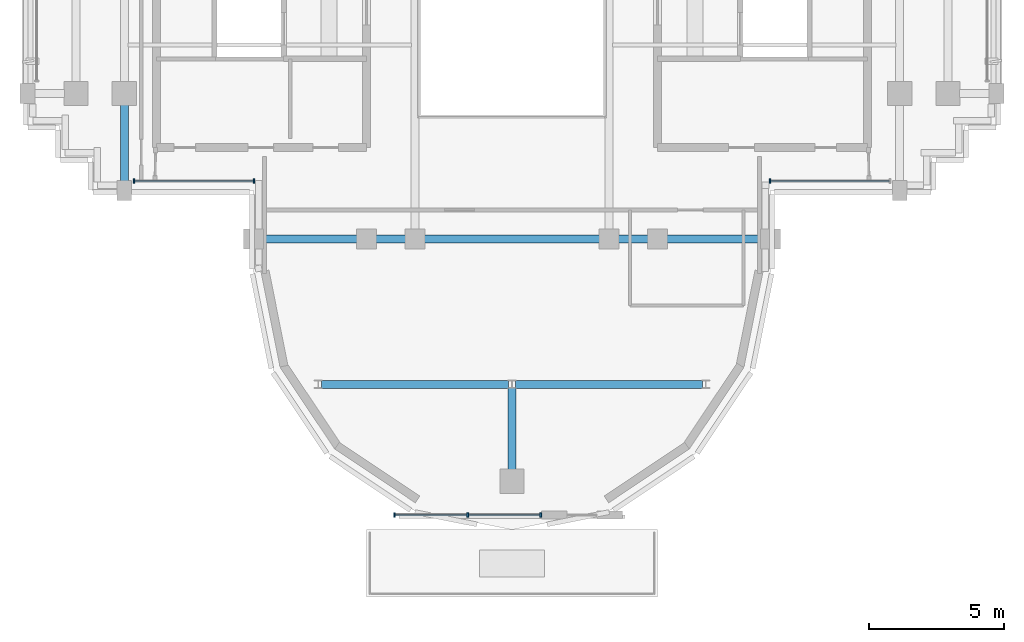
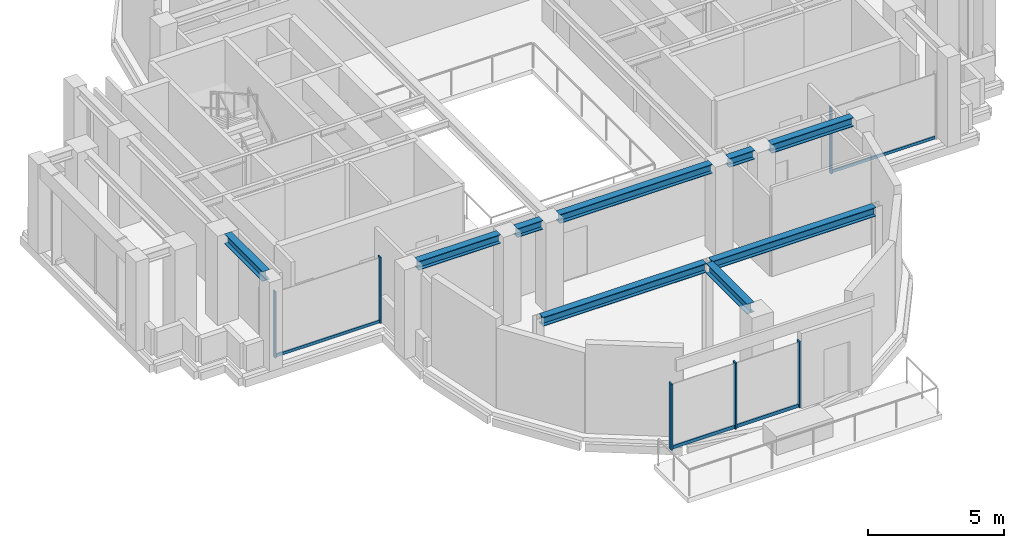
# One storey, part 3 of 14: 10 members, 9 beams, 3 elements without a shape of their own.
"""IFC4 building model written with IfcOpenShell, lengths in metres."""

from ifc_helpers import new_model, si_unit, direction, frame, origin, origin_2d, place, context, subcontext, project, spatial, rectangle, i_section, extrude, source, transform, mapped, material, material_profile, profile_set, type_object, element, aggregate, save


model = new_model("IFC4")

# Units and contexts
model_context = context("Model", 3, precision=1e-05, world=origin(), true_north=direction((0.0, 1.0)))
body_context = subcontext(model_context, "Body", "Model", "MODEL_VIEW")
ifc_project = project(units=[si_unit("LENGTHUNIT", "METRE"), si_unit("AREAUNIT", "SQUARE_METRE"), si_unit("VOLUMEUNIT", "CUBIC_METRE"), si_unit("PLANEANGLEUNIT", "RADIAN"), si_unit("MASSUNIT", "GRAM", prefix="KILO")], contexts=[model_context])

# Site, building, storey
site_placement = place(None, origin())
site = spatial("IfcSite", under=ifc_project, at=site_placement, CompositionType="ELEMENT")
building_placement = place(site_placement, origin())
building = spatial("IfcBuilding", under=site, at=building_placement, Name="Keilestroom Media Tower", CompositionType="ELEMENT")
storey_placement = place(building_placement, frame((0.0, 0.0, 219.39990234375)))
storey = spatial("IfcBuildingStorey", under=building, at=storey_placement, Name="L60", CompositionType="ELEMENT", Elevation=219.39990234375)

# Beams
ifc_material_1 = material(Name="Steel S355", Category="steel")
ifc_material_profile_1 = material_profile(ifc_material_1, i_section(OverallWidth=0.300048828125, OverallDepth=0.39990234375, WebThickness=0.011474609375, FlangeThickness=0.02392578125, at=origin_2d()), Name="HEB 400")
ifc_profile_set_1 = profile_set([ifc_material_profile_1], Name="Steel S355")
beam_type_1 = type_object("IfcBeamType", Name="Primary-Structural-Girder-HEB-400", PredefinedType="BEAM", material=ifc_profile_set_1)
shared_shape_1 = source(origin(), body_context, "Body", "SweptSolid", [
    extrude(i_section(OverallWidth=0.300048828125, OverallDepth=0.39990234375, WebThickness=0.011474609375, FlangeThickness=0.02392578125, at=origin_2d()), origin(), (0.0, 0.0, 1.0), 6.940185546875),
])
for number, where, z_axis, x_axis, name in (
    (1, (-7.070068359375, -14.39990234375, 3.81005859375), (1.0, 0.0, 0.0), (0.0, 1.0, 0.0), "L60 Beam BG-8 BM-L60-EW-001"),
    (2, (0.1298828125, -14.39990234375, 3.81005859375), (1.0, 0.0, 0.0), (0.0, 1.0, 0.0), "L60 Beam BG-8 BM-L60-EW-002"),
):
    element("IfcBeam", number, at=place(storey_placement, frame(where, z_axis=z_axis, x_axis=x_axis)), inside=storey, type_object=beam_type_1, Name=name, PredefinedType="BEAM", context=body_context, shape_type="MappedRepresentation", body=[
        mapped(shared_shape_1, transform((0.0, 0.0, 0.0), x_axis=(1.0, 0.0, 0.0), y_axis=(0.0, 1.0, 0.0), z_axis=(0.0, 0.0, 1.0), scale=1.0)),
    ])
shared_shape_2 = source(origin(), body_context, "Body", "SweptSolid", [
    extrude(i_section(OverallWidth=0.300048828125, OverallDepth=0.39990234375, WebThickness=0.011474609375, FlangeThickness=0.02392578125, at=origin_2d()), origin(), (0.0, 0.0, 1.0), 3.490234375),
])
for number, where, z_axis, x_axis, name in (
    (3, (-9.2451171875, -9.0, 3.81005859375), (1.0, 0.0, 0.0), (0.0, 1.0, 0.0), "L60 Beam BG-8 BM-L60-EW-003"),
    (4, (5.7548828125, -9.0, 3.81005859375), (1.0, 0.0, 0.0), (0.0, 1.0, 0.0), "L60 Beam BG-8 BM-L60-EW-007"),
):
    element("IfcBeam", number, at=place(storey_placement, frame(where, z_axis=z_axis, x_axis=x_axis)), inside=storey, type_object=beam_type_1, Name=name, PredefinedType="BEAM", context=body_context, shape_type="MappedRepresentation", body=[
        mapped(shared_shape_2, transform((0.0, 0.0, 0.0), x_axis=(1.0, 0.0, 0.0), y_axis=(0.0, 1.0, 0.0), z_axis=(0.0, 0.0, 1.0), scale=1.0)),
    ])
shared_shape_3 = source(origin(), body_context, "Body", "SweptSolid", [
    extrude(i_section(OverallWidth=0.300048828125, OverallDepth=0.39990234375, WebThickness=0.011474609375, FlangeThickness=0.02392578125, at=origin_2d()), origin(), (0.0, 0.0, 1.0), 1.08984375),
])
for number, where, z_axis, x_axis, name in (
    (5, (-5.044921875, -9.0, 3.81005859375), (1.0, 0.0, 0.0), (0.0, 1.0, 0.0), "L60 Beam BG-8 BM-L60-EW-004"),
    (6, (3.955078125, -9.0, 3.81005859375), (1.0, 0.0, 0.0), (0.0, 1.0, 0.0), "L60 Beam BG-8 BM-L60-EW-006"),
):
    element("IfcBeam", number, at=place(storey_placement, frame(where, z_axis=z_axis, x_axis=x_axis)), inside=storey, type_object=beam_type_1, Name=name, PredefinedType="BEAM", context=body_context, shape_type="MappedRepresentation", body=[
        mapped(shared_shape_3, transform((0.0, 0.0, 0.0), x_axis=(1.0, 0.0, 0.0), y_axis=(0.0, 1.0, 0.0), z_axis=(0.0, 0.0, 1.0), scale=1.0)),
    ])
shared_shape_4 = source(origin(), body_context, "Body", "SweptSolid", [
    extrude(i_section(OverallWidth=0.300048828125, OverallDepth=0.39990234375, WebThickness=0.011474609375, FlangeThickness=0.02392578125, at=origin_2d()), origin(), (0.0, 0.0, 1.0), 6.490234375),
])
beam_1_placement = place(storey_placement, frame((-3.2451171875, -9.0, 3.81005859375), z_axis=(1.0, 0.0, 0.0), x_axis=(0.0, 1.0, 0.0)))
element("IfcBeam", 7, at=beam_1_placement, inside=storey, type_object=beam_type_1, Name="L60 Beam BG-8 BM-L60-EW-005", PredefinedType="BEAM", context=body_context, shape_type="MappedRepresentation", body=[
    mapped(shared_shape_4, transform((0.0, 0.0, 0.0), x_axis=(1.0, 0.0, 0.0), y_axis=(0.0, 1.0, 0.0), z_axis=(0.0, 0.0, 1.0), scale=1.0)),
])
ifc_material_profile_2 = material_profile(ifc_material_1, i_section(OverallWidth=0.300048828125, OverallDepth=0.43994140625, WebThickness=0.011474609375, FlangeThickness=0.02099609375, at=origin_2d()), Name="HEA 450")
ifc_profile_set_2 = profile_set([ifc_material_profile_2], Name="Steel S355")
beam_type_2 = type_object("IfcBeamType", Name="Primary-Structural-Girder-HEA-450", PredefinedType="BEAM", material=ifc_profile_set_2)
shared_shape_5 = source(origin(), body_context, "Body", "SweptSolid", [
    extrude(i_section(OverallWidth=0.300048828125, OverallDepth=0.43994140625, WebThickness=0.011474609375, FlangeThickness=0.02099609375, at=origin_2d()), origin(), (0.0, 0.0, 1.0), 2.81494140625),
])
beam_2_placement = place(storey_placement, frame((-14.39990234375, -6.844970703125, 3.7900390625), z_axis=(0.0, 1.0, 0.0), x_axis=(-1.0, 0.0, 0.0)))
element("IfcBeam", 8, at=beam_2_placement, inside=storey, type_object=beam_type_2, Name="L60 Beam BG-11 BM-L60-NS-027", PredefinedType="BEAM", context=body_context, shape_type="MappedRepresentation", body=[
    mapped(shared_shape_5, transform((0.0, 0.0, 0.0), x_axis=(1.0, 0.0, 0.0), y_axis=(0.0, 1.0, 0.0), z_axis=(0.0, 0.0, 1.0), scale=1.0)),
])
shared_shape_6 = source(origin(), body_context, "Body", "SweptSolid", [
    extrude(i_section(OverallWidth=0.300048828125, OverallDepth=0.43994140625, WebThickness=0.011474609375, FlangeThickness=0.02099609375, at=origin_2d()), origin(), (0.0, 0.0, 1.0), 3.0400390625),
])
beam_3_placement = place(storey_placement, frame((0.0, -17.570068359375, 3.7900390625), z_axis=(0.0, 1.0, 0.0), x_axis=(-1.0, 0.0, 0.0)))
element("IfcBeam", 9, at=beam_3_placement, inside=storey, type_object=beam_type_2, Name="L60 Beam BG-11 BM-L60-NS-034", PredefinedType="BEAM", context=body_context, shape_type="MappedRepresentation", body=[
    mapped(shared_shape_6, transform((0.0, 0.0, 0.0), x_axis=(1.0, 0.0, 0.0), y_axis=(0.0, 1.0, 0.0), z_axis=(0.0, 0.0, 1.0), scale=1.0)),
])

# Curtain wall, members
ifc_material_2 = material(Name="Anodised Aluminium Alloy", Category="aluminium")
curtain_wall_type_1 = type_object("IfcCurtainWallType", Name="Unitised-Curtain-Wall-CW-6", PredefinedType="NOTDEFINED", material=ifc_material_2)
curtain_wall_1_placement = place(storey_placement, origin())
curtain_wall_1 = element("IfcCurtainWall", 10, at=curtain_wall_1_placement, inside=storey, type_object=curtain_wall_type_1, Name="L60 Curtain Wall CW-6 CW-L60-LS-1", PredefinedType="NOTDEFINED")
ifc_material_profile_3 = material_profile(ifc_material_2, rectangle(XDim=0.06494140625, YDim=0.179931640625, at=origin_2d()), Name="ALU MULLION 65x180")
ifc_profile_set_3 = profile_set([ifc_material_profile_3], Name="Anodised Aluminium Alloy")
member_type_1 = type_object("IfcMemberType", Name="Curtain-Wall-Mullion-CW-6", PredefinedType="MULLION", material=ifc_profile_set_3)
shared_shape_7 = source(origin(), body_context, "Body", "SweptSolid", [
    extrude(rectangle(XDim=0.06494140625, YDim=0.179931640625, at=origin_2d()), origin(), (0.0, 0.0, 1.0), 2.97998046875),
])
member_1_placement = place(storey_placement, frame((-4.367431640625, -19.25, 0.0), z_axis=(0.0, 0.0, 1.0), x_axis=(1.0, 0.0, 0.0)))
member_1 = element("IfcMember", 11, at=member_1_placement, type_object=member_type_1, Name="CW-6 Mullion 00", PredefinedType="MULLION", context=body_context, shape_type="MappedRepresentation", body=[
    mapped(shared_shape_7, transform((0.0, 0.0, 0.0), x_axis=(1.0, 0.0, 0.0), y_axis=(0.0, 1.0, 0.0), z_axis=(0.0, 0.0, 1.0), scale=1.0)),
])
member_2_placement = place(storey_placement, frame((-1.6474609375, -19.25, 0.0), z_axis=(0.0, 0.0, 1.0), x_axis=(1.0, 0.0, 0.0)))
member_2 = element("IfcMember", 12, at=member_2_placement, type_object=member_type_1, Name="CW-6 Mullion 01", PredefinedType="MULLION", context=body_context, shape_type="MappedRepresentation", body=[
    mapped(shared_shape_7, transform((0.0, 0.0, 0.0), x_axis=(1.0, 0.0, 0.0), y_axis=(0.0, 1.0, 0.0), z_axis=(0.0, 0.0, 1.0), scale=1.0)),
])
member_3_placement = place(storey_placement, frame((1.072509765625, -19.25, 0.0), z_axis=(0.0, 0.0, 1.0), x_axis=(1.0, 0.0, 0.0)))
member_3 = element("IfcMember", 13, at=member_3_placement, type_object=member_type_1, Name="CW-6 Mullion 02", PredefinedType="MULLION", context=body_context, shape_type="MappedRepresentation", body=[
    mapped(shared_shape_7, transform((0.0, 0.0, 0.0), x_axis=(1.0, 0.0, 0.0), y_axis=(0.0, 1.0, 0.0), z_axis=(0.0, 0.0, 1.0), scale=1.0)),
])

curtain_wall_type_2 = type_object("IfcCurtainWallType", Name="Unitised-Curtain-Wall-CW-4", PredefinedType="NOTDEFINED", material=ifc_material_2)
curtain_wall_2_placement = place(storey_placement, origin())
curtain_wall_2 = element("IfcCurtainWall", 14, at=curtain_wall_2_placement, inside=storey, type_object=curtain_wall_type_2, Name="L60 Curtain Wall CW-4 CW-L60-SW-1", PredefinedType="NOTDEFINED")
ifc_material_profile_4 = material_profile(ifc_material_2, rectangle(XDim=0.06005859375, YDim=0.159912109375, at=origin_2d()), Name="ALU MULLION 60x160")
ifc_profile_set_4 = profile_set([ifc_material_profile_4], Name="Anodised Aluminium Alloy")
member_type_2 = type_object("IfcMemberType", Name="Curtain-Wall-Mullion-CW-4", PredefinedType="MULLION", material=ifc_profile_set_4)
shared_shape_8 = source(origin(), body_context, "Body", "SweptSolid", [
    extrude(rectangle(XDim=0.06005859375, YDim=0.159912109375, at=origin_2d()), origin(), (0.0, 0.0, 1.0), 2.97998046875),
])
member_4_placement = place(storey_placement, frame((-14.034912109375, -6.85009765625, 0.0), z_axis=(0.0, 0.0, 1.0), x_axis=(1.0, 0.0, 0.0)))
member_4 = element("IfcMember", 15, at=member_4_placement, type_object=member_type_2, Name="CW-4 Mullion 00", PredefinedType="MULLION", context=body_context, shape_type="MappedRepresentation", body=[
    mapped(shared_shape_8, transform((0.0, 0.0, 0.0), x_axis=(1.0, 0.0, 0.0), y_axis=(0.0, 1.0, 0.0), z_axis=(0.0, 0.0, 1.0), scale=1.0)),
])
member_5_placement = place(storey_placement, frame((-9.580078125, -6.85009765625, 0.0), z_axis=(0.0, 0.0, 1.0), x_axis=(1.0, 0.0, 0.0)))
member_5 = element("IfcMember", 16, at=member_5_placement, type_object=member_type_2, Name="CW-4 Mullion 01", PredefinedType="MULLION", context=body_context, shape_type="MappedRepresentation", body=[
    mapped(shared_shape_8, transform((0.0, 0.0, 0.0), x_axis=(1.0, 0.0, 0.0), y_axis=(0.0, 1.0, 0.0), z_axis=(0.0, 0.0, 1.0), scale=1.0)),
])

# Curtain wall, member
curtain_wall_3_placement = place(storey_placement, origin())
curtain_wall_3 = element("IfcCurtainWall", 17, at=curtain_wall_3_placement, inside=storey, type_object=curtain_wall_type_2, Name="L60 Curtain Wall CW-4 CW-L60-SE-1", PredefinedType="NOTDEFINED")
member_6_placement = place(storey_placement, frame((9.580078125, -6.85009765625, 0.0), z_axis=(0.0, 0.0, 1.0), x_axis=(1.0, 0.0, 0.0)))
member_6 = element("IfcMember", 18, at=member_6_placement, type_object=member_type_2, Name="CW-4 Mullion 00", PredefinedType="MULLION", context=body_context, shape_type="MappedRepresentation", body=[
    mapped(shared_shape_8, transform((0.0, 0.0, 0.0), x_axis=(1.0, 0.0, 0.0), y_axis=(0.0, 1.0, 0.0), z_axis=(0.0, 0.0, 1.0), scale=1.0)),
])

# Member
ifc_material_profile_5 = material_profile(ifc_material_2, rectangle(XDim=0.06005859375, YDim=0.1298828125, at=origin_2d()), Name="ALU TRANSOM 60x130")
ifc_profile_set_5 = profile_set([ifc_material_profile_5], Name="Anodised Aluminium Alloy")
member_type_3 = type_object("IfcMemberType", Name="Curtain-Wall-Transom-CW-4", PredefinedType="USERDEFINED", material=ifc_profile_set_5)
shared_shape_9 = source(origin(), body_context, "Body", "SweptSolid", [
    extrude(rectangle(XDim=0.06005859375, YDim=0.1298828125, at=origin_2d()), origin(), (0.0, 0.0, 1.0), 4.399169921875),
])
member_7_placement = place(storey_placement, frame((-14.007080078125, -6.85009765625, 0.065185546875), z_axis=(1.0, 0.0, 0.0), x_axis=(0.0, 1.0, 0.0)))
member_7 = element("IfcMember", 19, at=member_7_placement, type_object=member_type_3, Name="CW-4 Transom 00.1", ObjectType="TRANSOM", PredefinedType="USERDEFINED", context=body_context, shape_type="MappedRepresentation", body=[
    mapped(shared_shape_9, transform((0.0, 0.0, 0.0), x_axis=(1.0, 0.0, 0.0), y_axis=(0.0, 1.0, 0.0), z_axis=(0.0, 0.0, 1.0), scale=1.0)),
])

aggregate(curtain_wall_2, [member_4, member_5, member_7])

member_8_placement = place(storey_placement, frame((9.60791015625, -6.85009765625, 0.065185546875), z_axis=(1.0, 0.0, 0.0), x_axis=(0.0, 1.0, 0.0)))
member_8 = element("IfcMember", 20, at=member_8_placement, type_object=member_type_3, Name="CW-4 Transom 00.1", ObjectType="TRANSOM", PredefinedType="USERDEFINED", context=body_context, shape_type="MappedRepresentation", body=[
    mapped(shared_shape_9, transform((0.0, 0.0, 0.0), x_axis=(1.0, 0.0, 0.0), y_axis=(0.0, 1.0, 0.0), z_axis=(0.0, 0.0, 1.0), scale=1.0)),
])

aggregate(curtain_wall_3, [member_6, member_8])

ifc_material_profile_6 = material_profile(ifc_material_2, rectangle(XDim=0.06494140625, YDim=0.14990234375, at=origin_2d()), Name="ALU TRANSOM 65x150")
ifc_profile_set_6 = profile_set([ifc_material_profile_6], Name="Anodised Aluminium Alloy")
member_type_4 = type_object("IfcMemberType", Name="Curtain-Wall-Transom-CW-6", PredefinedType="USERDEFINED", material=ifc_profile_set_6)
shared_shape_10 = source(origin(), body_context, "Body", "SweptSolid", [
    extrude(rectangle(XDim=0.06494140625, YDim=0.14990234375, at=origin_2d()), origin(), (0.0, 0.0, 1.0), 2.658935546875),
])
member_9_placement = place(storey_placement, frame((-4.3369140625, -19.25, 0.0751953125), z_axis=(1.0, 0.0, 0.0), x_axis=(0.0, 1.0, 0.0)))
member_9 = element("IfcMember", 21, at=member_9_placement, type_object=member_type_4, Name="CW-6 Transom 00.1", ObjectType="TRANSOM", PredefinedType="USERDEFINED", context=body_context, shape_type="MappedRepresentation", body=[
    mapped(shared_shape_10, transform((0.0, 0.0, 0.0), x_axis=(1.0, 0.0, 0.0), y_axis=(0.0, 1.0, 0.0), z_axis=(0.0, 0.0, 1.0), scale=1.0)),
])

member_10_placement = place(storey_placement, frame((-1.616943359375, -19.25, 0.0751953125), z_axis=(1.0, 0.0, 0.0), x_axis=(0.0, 1.0, 0.0)))
member_10 = element("IfcMember", 22, at=member_10_placement, type_object=member_type_4, Name="CW-6 Transom 01.1", ObjectType="TRANSOM", PredefinedType="USERDEFINED", context=body_context, shape_type="MappedRepresentation", body=[
    mapped(shared_shape_10, transform((0.0, 0.0, 0.0), x_axis=(1.0, 0.0, 0.0), y_axis=(0.0, 1.0, 0.0), z_axis=(0.0, 0.0, 1.0), scale=1.0)),
])

aggregate(curtain_wall_1, [member_1, member_2, member_3, member_9, member_10])

save(model, "model.ifc")
